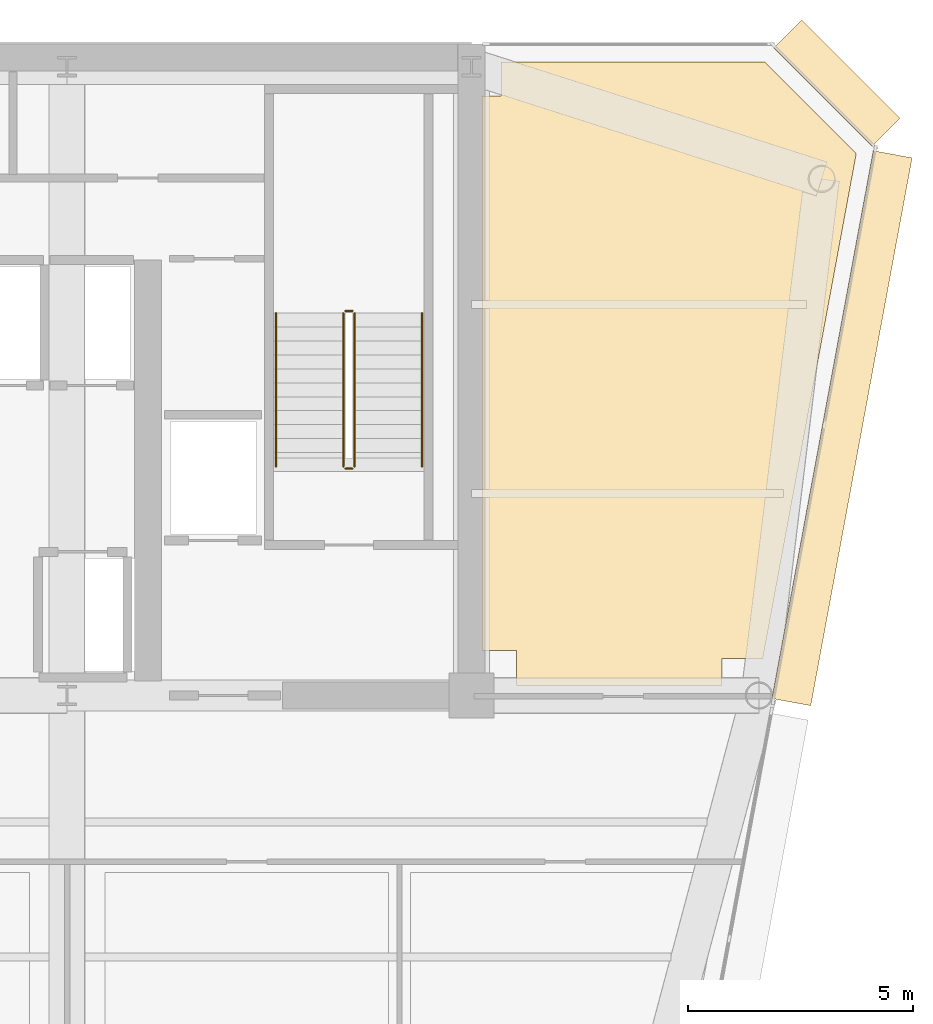
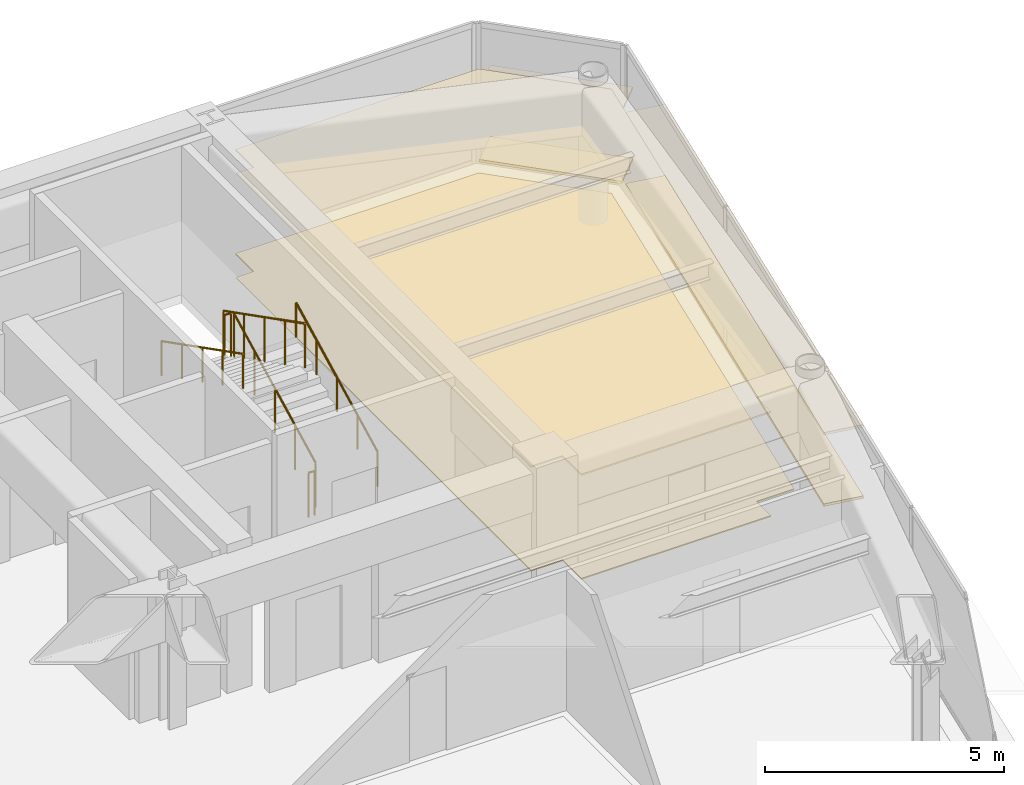
# One storey, part 17 of 17: 6 coverings, 6 railings.
"""IFC4 building model written with IfcOpenShell, lengths in metres."""

import ifcopenshell
import ifcopenshell.guid

model = None  # the IFC model being written
_history = None  # IfcOwnerHistory: only IFC2X3 demands one
_inside = {}  # id of a spatial element -> (the spatial element, [elements in it])
_under = {}  # id of a project, library or spatial element -> (it, [spatial elements below it])
_declared = {}  # id of a project -> (the project, [libraries it declares])
_typed = {}  # id of a type object -> (the type object, [elements of that type])
_made_of = {}  # id of a material, layer set ... -> (it, [elements and type objects made of it])


def new_model(schema):
    """Start an empty IFC model of exactly this schema.

    Asked for "IFC4X3", IfcOpenShell would pick the latest addendum, in which some entities
    have other attributes; the version numbers below select the first issue.
    IFC2X3 requires an IfcOwnerHistory on every rooted entity: one is made here for all.
    """
    global model, _history
    if schema == "IFC4X3":
        model = ifcopenshell.file(schema_version=(4, 3, 0, 0))
    else:
        model = ifcopenshell.file(schema=schema)
    _inside.clear()
    _under.clear()
    _declared.clear()
    _typed.clear()
    _made_of.clear()
    _history = None
    if model.schema == "IFC2X3":
        org = make("IfcOrganization", Name="unknown")
        user = make(
            "IfcPersonAndOrganization",
            ThePerson=make("IfcPerson", FamilyName="unknown"),
            TheOrganization=org,
        )
        app = make(
            "IfcApplication",
            ApplicationDeveloper=org,
            Version="unknown",
            ApplicationFullName="unknown",
            ApplicationIdentifier="unknown",
        )
        _history = make(
            "IfcOwnerHistory",
            OwningUser=user,
            OwningApplication=app,
            ChangeAction="ADDED",
            CreationDate=0,
        )
    return model


def make(cls, **values):
    """One entity of the class cls with the attributes given. An attribute that is None is left unset."""
    return model.create_entity(
        cls, **{name: value for name, value in values.items() if value is not None}
    )


def rooted(cls, **values):
    """An entity with a GlobalId (a new one), such as an element, a storey or a relation."""
    return make(cls, GlobalId=ifcopenshell.guid.new(), OwnerHistory=_history, **values)


def si_unit(unit_type, name, prefix=None):
    """IfcSIUnit, for example si_unit("LENGTHUNIT", "METRE", prefix="MILLI")."""
    return make("IfcSIUnit", UnitType=unit_type, Prefix=prefix, Name=name)


def assignment(units):
    """IfcUnitAssignment: the units of a project."""
    return None if units is None else make("IfcUnitAssignment", Units=units)


def point(xyz):
    """IfcCartesianPoint."""
    return None if xyz is None else make("IfcCartesianPoint", Coordinates=xyz)


def direction(xyz):
    """IfcDirection."""
    return None if xyz is None else make("IfcDirection", DirectionRatios=xyz)


def frame(location, z_axis=None, x_axis=None):
    """IfcAxis2Placement3D, a coordinate frame: its origin and axes. An axis left out is left unset."""
    return make(
        "IfcAxis2Placement3D",
        Location=point(location),
        Axis=direction(z_axis),
        RefDirection=direction(x_axis),
    )


def frame_2d(location, x_axis=None):
    """IfcAxis2Placement2D, a coordinate frame in the plane: its origin and x axis."""
    return make(
        "IfcAxis2Placement2D", Location=point(location), RefDirection=direction(x_axis)
    )


def origin():
    """The frame at (0, 0, 0) with its axes left unset."""
    return frame((0.0, 0.0, 0.0))


def origin_2d():
    """The frame at (0, 0) in the plane with its x axis left unset."""
    return frame_2d((0.0, 0.0))


def place(relative_to, where):
    """IfcLocalPlacement: puts the frame where relative to a parent placement (None: the world)."""
    return make(
        "IfcLocalPlacement", PlacementRelTo=relative_to, RelativePlacement=where
    )


def context(
    kind, dimensions, precision=None, world=None, true_north=None, identifier=None
):
    """IfcGeometricRepresentationContext, for example the 3D "Model" context."""
    return make(
        "IfcGeometricRepresentationContext",
        ContextIdentifier=identifier,
        ContextType=kind,
        CoordinateSpaceDimension=dimensions,
        Precision=precision,
        WorldCoordinateSystem=world,
        TrueNorth=true_north,
    )


def subcontext(parent, identifier, kind, view, scale=None):
    """IfcGeometricRepresentationSubContext, for example "Body" below "Model"."""
    return make(
        "IfcGeometricRepresentationSubContext",
        ContextIdentifier=identifier,
        ContextType=kind,
        ParentContext=parent,
        TargetScale=scale,
        TargetView=view,
    )


def project(units=None, contexts=None):
    """IfcProject with its units and contexts."""
    return rooted(
        "IfcProject",
        Name="project",
        RepresentationContexts=contexts,
        UnitsInContext=assignment(units),
    )


def spatial(cls, under=None, at=None, **own):
    """A site, building, storey or space (cls), placed at a placement, below another one or the project."""
    s = rooted(cls, ObjectPlacement=at, **own)
    if under is not None:
        _under.setdefault(under.id(), (under, []))[1].append(s)
    return s


def polyline(points):
    """IfcPolyline through the points."""
    return make("IfcPolyline", Points=[point(p) for p in points])


def profile(cls, at=None, kind="AREA", **sizes):
    """A parametric profile (cls). Its sizes go by their IFC names, for example OverallWidth=200.0."""
    return make(cls, ProfileType=kind, Position=at, **sizes)


def rectangle(**sizes):
    """IfcRectangleProfileDef."""
    return profile("IfcRectangleProfileDef", **sizes)


def circle(**sizes):
    """IfcCircleProfileDef."""
    return profile("IfcCircleProfileDef", **sizes)


def outline(outer, holes=None, kind="AREA"):
    """IfcArbitraryClosedProfileDef: a profile drawn as a closed curve; with holes, ...WithVoids."""
    if holes is None:
        return make("IfcArbitraryClosedProfileDef", ProfileType=kind, OuterCurve=outer)
    return make(
        "IfcArbitraryProfileDefWithVoids",
        ProfileType=kind,
        OuterCurve=outer,
        InnerCurves=holes,
    )


def extrude(swept, where, along, depth):
    """IfcExtrudedAreaSolid: the profile swept, set in the frame where, extruded along a direction by depth."""
    return make(
        "IfcExtrudedAreaSolid",
        SweptArea=swept,
        Position=where,
        ExtrudedDirection=direction(along),
        Depth=depth,
    )


def shape(context_of_items, identifier, shape_type, items):
    """IfcShapeRepresentation: the items that make up one representation, for example the "Body"."""
    return make(
        "IfcShapeRepresentation",
        ContextOfItems=context_of_items,
        RepresentationIdentifier=identifier,
        RepresentationType=shape_type,
        Items=items,
    )


def source(mapping_origin, context_of_items, identifier, shape_type, items):
    """IfcRepresentationMap: a shape defined once, which mapped items show again and again."""
    return make(
        "IfcRepresentationMap",
        MappingOrigin=mapping_origin,
        MappedRepresentation=shape(context_of_items, identifier, shape_type, items),
    )


def transform(
    local_origin,
    x_axis=None,
    y_axis=None,
    z_axis=None,
    scale=None,
    scale2=None,
    scale3=None,
    uniform=True,
):
    """IfcCartesianTransformationOperator3D, or its non-uniform kind. x_axis, y_axis, z_axis: its Axis1, 2, 3."""
    if uniform:
        return make(
            "IfcCartesianTransformationOperator3D",
            Axis1=direction(x_axis),
            Axis2=direction(y_axis),
            LocalOrigin=point(local_origin),
            Scale=scale,
            Axis3=direction(z_axis),
        )
    return make(
        "IfcCartesianTransformationOperator3DnonUniform",
        Axis1=direction(x_axis),
        Axis2=direction(y_axis),
        LocalOrigin=point(local_origin),
        Scale=scale,
        Axis3=direction(z_axis),
        Scale2=scale2,
        Scale3=scale3,
    )


def mapped(mapping_source, mapping_target):
    """IfcMappedItem: shows the shape of a source again, moved by a transform."""
    return make(
        "IfcMappedItem", MappingSource=mapping_source, MappingTarget=mapping_target
    )


def material(Name=None, Category=None):
    """IfcMaterial."""
    return make("IfcMaterial", Name=Name, Category=Category)


def layer(
    of_material, thickness, ventilated=None, Name=None, Category=None, Priority=None
):
    """IfcMaterialLayer: one layer of a wall or slab, of a material (None: an air gap)."""
    return make(
        "IfcMaterialLayer",
        Material=of_material,
        LayerThickness=thickness,
        IsVentilated=ventilated,
        Name=Name,
        Category=Category,
        Priority=Priority,
    )


def layer_set(layers, Name=None):
    """IfcMaterialLayerSet."""
    return make("IfcMaterialLayerSet", MaterialLayers=layers, LayerSetName=Name)


def made_of(thing, what):
    """Note that an element or type object is made of a material, layer set ...; save() writes the relation."""
    if what is not None:
        _made_of.setdefault(what.id(), (what, []))[1].append(thing)
    return thing


def type_object(cls, material=None, **own):
    """A type object (cls), such as IfcWallType, which elements share."""
    return made_of(rooted(cls, **own), material)


def element(
    cls,
    number,
    at=None,
    inside=None,
    cuts=None,
    type_object=None,
    material=None,
    context=None,
    identifier="Body",
    shape_type=None,
    held_by="IfcProductDefinitionShape",
    body=None,
    shapes=None,
    **own,
):
    """One element of the class cls, such as IfcWall. Its Tag is "e" and its number.

    at: its placement. inside: the storey or other place that contains it. cuts: it is an
    opening in that element (IfcRelVoidsElement). A single representation is given by context,
    identifier, shape_type and body (its items); several are given by shapes. held_by: the class
    of the entity that holds the representations. save() writes the other relations.
    """
    e = rooted(cls, Tag="e%d" % number, ObjectPlacement=at, **own)
    if body is not None:
        shapes = [shape(context, identifier, shape_type, body)]
    if shapes is not None:
        e.Representation = make(held_by, Representations=shapes)
    if inside is not None:
        _inside.setdefault(inside.id(), (inside, []))[1].append(e)
    if cuts is not None:
        rooted(
            "IfcRelVoidsElement", RelatingBuildingElement=cuts, RelatedOpeningElement=e
        )
    if type_object is not None:
        _typed.setdefault(type_object.id(), (type_object, []))[1].append(e)
    return made_of(e, material)


def aggregate(whole, parts):
    """IfcRelAggregates: a whole, such as a stair, and the parts it consists of."""
    return rooted("IfcRelAggregates", RelatingObject=whole, RelatedObjects=parts)


def save(model, path):
    """Write the relations noted so far, then the file.

    IfcRelAggregates (storeys below a building ...), IfcRelContainedInSpatialStructure (elements
    in a storey), IfcRelDefinesByType, IfcRelAssociatesMaterial and IfcRelDeclares: one each for
    every whole, place, type object, material and project.
    """
    for whole, parts in _under.values():
        aggregate(whole, parts)
    for where, things in _inside.values():
        rooted(
            "IfcRelContainedInSpatialStructure",
            RelatedElements=things,
            RelatingStructure=where,
        )
    for kind, things in _typed.values():
        rooted("IfcRelDefinesByType", RelatedObjects=things, RelatingType=kind)
    for what, things in _made_of.values():
        rooted("IfcRelAssociatesMaterial", RelatedObjects=things, RelatingMaterial=what)
    for by, libraries in _declared.values():
        rooted("IfcRelDeclares", RelatingContext=by, RelatedDefinitions=libraries)
    model.write(path)


model = new_model("IFC4")

# Units and contexts
model_context = context("Model", 3, precision=1e-05, world=origin(), true_north=direction((0.0, 1.0)))
body_context = subcontext(model_context, "Body", "Model", "MODEL_VIEW")
ifc_project = project(units=[si_unit("LENGTHUNIT", "METRE"), si_unit("AREAUNIT", "SQUARE_METRE"), si_unit("VOLUMEUNIT", "CUBIC_METRE"), si_unit("PLANEANGLEUNIT", "RADIAN"), si_unit("MASSUNIT", "GRAM", prefix="KILO")], contexts=[model_context])

# Site, building, storey
site_placement = place(None, origin())
site = spatial("IfcSite", under=ifc_project, at=site_placement, CompositionType="ELEMENT")
building_placement = place(site_placement, origin())
building = spatial("IfcBuilding", under=site, at=building_placement, Name="Vaeldorn Concourse Tower", CompositionType="ELEMENT")
storey_placement = place(building_placement, frame((0.0, 0.0, 234.60009765625)))
storey = spatial("IfcBuildingStorey", under=building, at=storey_placement, Name="L60", CompositionType="ELEMENT", Elevation=234.60009765625)

# Coverings
ifc_material_1 = material(Name="Acoustic Mineral Fibre Board", Category="gypsum")
ifc_layer_1 = layer(ifc_material_1, 0.0400390625)
ifc_layer_set_1 = layer_set([ifc_layer_1], Name="Acoustic Mineral Fibre Board")
covering_type_1 = type_object("IfcCoveringType", Name="COV-CEIL-ACOUSTIC", PredefinedType="CEILING", material=ifc_layer_set_1)
covering_1_placement = place(storey_placement, frame((0.0, 0.0, 2.64990234375)))
element("IfcCovering", 1, at=covering_1_placement, inside=storey, type_object=covering_type_1, Name="Suspended Acoustic Ceiling L60-5", PredefinedType="CEILING", context=body_context, shape_type="SweptSolid", body=[
    extrude(outline(polyline([(54.659912109375, 49.840087890625), (54.659912109375, 50.60009765625), (60.5341796875, 50.60009765625), (62.568359375, 48.56591796875), (60.48828125, 37.320068359375), (59.580078125, 37.320068359375), (59.580078125, 36.719970703125), (55.0, 36.719970703125), (55.0, 37.5), (54.239990234375, 37.5), (54.239990234375, 49.840087890625), (54.659912109375, 49.840087890625)])), origin(), (0.0, 0.0, 1.0), 0.0400390625),
])
ifc_material_2 = material(Name="Honed Limestone Terrazzo Flooring", Category="masonry")
ifc_layer_2 = layer(ifc_material_2, 0.0400390625)
ifc_layer_set_2 = layer_set([ifc_layer_2], Name="Honed Limestone Terrazzo Flooring")
covering_type_2 = type_object("IfcCoveringType", Name="COV-FLOOR-STONE", PredefinedType="FLOORING", material=ifc_layer_set_2)
covering_2_placement = place(storey_placement, origin())
element("IfcCovering", 2, at=covering_2_placement, inside=storey, type_object=covering_type_2, Name="Floor Finish Covering L60-5", PredefinedType="FLOORING", context=body_context, shape_type="SweptSolid", body=[
    extrude(outline(polyline([(54.659912109375, 49.840087890625), (54.659912109375, 50.60009765625), (60.5341796875, 50.60009765625), (62.568359375, 48.56591796875), (60.48828125, 37.320068359375), (59.580078125, 37.320068359375), (59.580078125, 36.719970703125), (55.0, 36.719970703125), (55.0, 37.5), (54.239990234375, 37.5), (54.239990234375, 49.840087890625), (54.659912109375, 49.840087890625)])), origin(), (0.0, 0.0, 1.0), 0.02978515625),
])

# Railings
ifc_material_3 = material(Name="Anodised Bronze Aluminium", Category="aluminium")
railing_type_1 = type_object("IfcRailingType", Name="RL-STAIR-GUARD", PredefinedType="GUARDRAIL", material=ifc_material_3)
railing_1_placement = place(storey_placement, frame((51.39990234375, 41.60009765625, 0.158203125)))
element("IfcRailing", 3, at=railing_1_placement, inside=storey, type_object=railing_type_1, Name="L60 ST-2 stair guard 1", PredefinedType="GUARDRAIL", context=body_context, shape_type="SweptSolid", body=[
    extrude(circle(Radius=0.02392578125, at=origin_2d()), frame((0.0, 0.0, 1.1259765625), z_axis=(0.0, 0.890555807335, 0.454873997962), x_axis=(-1.0, 0.0, 0.0)), (0.0, 0.0, 1.0), 3.828857421875),
    extrude(circle(Radius=0.02099609375, at=origin_2d()), origin(), (0.0, 0.0, 1.0), 1.101806640625),
    extrude(circle(Radius=0.02099609375, at=origin_2d()), frame((0.0, 0.8525390625, 0.435546875)), (0.0, 0.0, 1.0), 1.101806640625),
    extrude(circle(Radius=0.02099609375, at=origin_2d()), frame((0.0, 1.705078125, 0.870849609375)), (0.0, 0.0, 1.0), 1.101806640625),
    extrude(circle(Radius=0.02099609375, at=origin_2d()), frame((0.0, 2.557373046875, 1.30615234375)), (0.0, 0.0, 1.0), 1.101806640625),
    extrude(circle(Radius=0.02099609375, at=origin_2d()), frame((0.0, 3.409912109375, 1.74169921875)), (0.0, 0.0, 1.0), 1.101806640625),
])
railing_2_placement = place(storey_placement, frame((51.35009765625, 45.06005859375, 1.89990234375)))
element("IfcRailing", 4, at=railing_2_placement, inside=storey, type_object=railing_type_1, Name="L60 ST-2 stair guard 2", PredefinedType="GUARDRAIL", context=body_context, shape_type="SweptSolid", body=[
    extrude(circle(Radius=0.02392578125, at=origin_2d()), frame((0.0, 0.0, 1.1259765625), z_axis=(-1.0, 0.0, 0.0), x_axis=(0.0, -1.0, 0.0)), (0.0, 0.0, 1.0), 0.150146484375),
    extrude(circle(Radius=0.02099609375, at=origin_2d()), origin(), (0.0, 0.0, 1.0), 1.101806640625),
    extrude(circle(Radius=0.02099609375, at=origin_2d()), frame((-0.150146484375, 0.0, 0.0)), (0.0, 0.0, 1.0), 1.101806640625),
])
railing_3_placement = place(storey_placement, frame((51.14990234375, 45.010009765625, 2.058349609375)))
element("IfcRailing", 5, at=railing_3_placement, inside=storey, type_object=railing_type_1, Name="L60 ST-2 stair guard 3", PredefinedType="GUARDRAIL", context=body_context, shape_type="SweptSolid", body=[
    extrude(circle(Radius=0.02392578125, at=origin_2d()), frame((0.0, 0.0, 1.1259765625), z_axis=(0.0, -0.890581635807, 0.454823427236), x_axis=(1.0, 0.0, 0.0)), (0.0, 0.0, 1.0), 3.828857421875),
    extrude(circle(Radius=0.02099609375, at=origin_2d()), origin(), (0.0, 0.0, 1.0), 1.101806640625),
    extrude(circle(Radius=0.02099609375, at=origin_2d()), frame((0.0, -0.8525390625, 0.435302734375)), (0.0, 0.0, 1.0), 1.101806640625),
    extrude(circle(Radius=0.02099609375, at=origin_2d()), frame((0.0, -1.705078125, 0.87060546875)), (0.0, 0.0, 1.0), 1.101806640625),
    extrude(circle(Radius=0.02099609375, at=origin_2d()), frame((0.0, -2.557373046875, 1.30615234375)), (0.0, 0.0, 1.0), 1.101806640625),
    extrude(circle(Radius=0.02099609375, at=origin_2d()), frame((0.0, -3.409912109375, 1.741455078125)), (0.0, 0.0, 1.0), 1.101806640625),
])
railing_4_placement = place(storey_placement, frame((51.35009765625, 41.550048828125, 0.0)))
element("IfcRailing", 6, at=railing_4_placement, inside=storey, type_object=railing_type_1, Name="L60 ST-2 stair guard 4", PredefinedType="GUARDRAIL", context=body_context, shape_type="SweptSolid", body=[
    extrude(circle(Radius=0.02392578125, at=origin_2d()), frame((0.0, 0.0, 1.1259765625), z_axis=(-1.0, 0.0, 0.0), x_axis=(0.0, -1.0, 0.0)), (0.0, 0.0, 1.0), 0.150146484375),
    extrude(circle(Radius=0.02099609375, at=origin_2d()), origin(), (0.0, 0.0, 1.0), 1.101806640625),
    extrude(circle(Radius=0.02099609375, at=origin_2d()), frame((-0.150146484375, 0.0, 0.0)), (0.0, 0.0, 1.0), 1.101806640625),
])
railing_type_2 = type_object("IfcRailingType", Name="RL-STAIR-HANDRAIL", PredefinedType="HANDRAIL", material=ifc_material_3)
railing_5_placement = place(storey_placement, frame((52.89990234375, 41.60009765625, 0.158203125)))
element("IfcRailing", 7, at=railing_5_placement, inside=storey, type_object=railing_type_2, Name="L60 ST-2 stair handrail 1", PredefinedType="HANDRAIL", context=body_context, shape_type="SweptSolid", body=[
    extrude(circle(Radius=0.02392578125, at=origin_2d()), frame((0.0, 0.0, 0.8759765625), z_axis=(0.0, 0.890555807335, 0.454873997962), x_axis=(-1.0, 0.0, 0.0)), (0.0, 0.0, 1.0), 3.828857421875),
    extrude(circle(Radius=0.02099609375, at=origin_2d()), origin(), (0.0, 0.0, 1.0), 0.851806640625),
    extrude(circle(Radius=0.02099609375, at=origin_2d()), frame((0.0, 0.8525390625, 0.435546875)), (0.0, 0.0, 1.0), 0.851806640625),
    extrude(circle(Radius=0.02099609375, at=origin_2d()), frame((0.0, 1.705078125, 0.870849609375)), (0.0, 0.0, 1.0), 0.851806640625),
    extrude(circle(Radius=0.02099609375, at=origin_2d()), frame((0.0, 2.557373046875, 1.30615234375)), (0.0, 0.0, 1.0), 0.851806640625),
    extrude(circle(Radius=0.02099609375, at=origin_2d()), frame((0.0, 3.409912109375, 1.74169921875)), (0.0, 0.0, 1.0), 0.851806640625),
])
railing_6_placement = place(storey_placement, frame((49.64990234375, 45.010009765625, 2.058349609375)))
element("IfcRailing", 8, at=railing_6_placement, inside=storey, type_object=railing_type_2, Name="L60 ST-2 stair handrail 2", PredefinedType="HANDRAIL", context=body_context, shape_type="SweptSolid", body=[
    extrude(circle(Radius=0.02392578125, at=origin_2d()), frame((0.0, 0.0, 0.8759765625), z_axis=(0.0, -0.890581635807, 0.454823427236), x_axis=(1.0, 0.0, 0.0)), (0.0, 0.0, 1.0), 3.828857421875),
    extrude(circle(Radius=0.02099609375, at=origin_2d()), origin(), (0.0, 0.0, 1.0), 0.851806640625),
    extrude(circle(Radius=0.02099609375, at=origin_2d()), frame((0.0, -0.8525390625, 0.435302734375)), (0.0, 0.0, 1.0), 0.851806640625),
    extrude(circle(Radius=0.02099609375, at=origin_2d()), frame((0.0, -1.705078125, 0.87060546875)), (0.0, 0.0, 1.0), 0.851806640625),
    extrude(circle(Radius=0.02099609375, at=origin_2d()), frame((0.0, -2.557373046875, 1.30615234375)), (0.0, 0.0, 1.0), 0.851806640625),
    extrude(circle(Radius=0.02099609375, at=origin_2d()), frame((0.0, -3.409912109375, 1.741455078125)), (0.0, 0.0, 1.0), 0.851806640625),
])

# Coverings
ifc_layer_3 = layer(ifc_material_3, 0.06494140625)
ifc_layer_set_3 = layer_set([ifc_layer_3], Name="Anodised Bronze Aluminium")
covering_type_3 = type_object("IfcCoveringType", Name="SD-BRONZE-SUNSHADE", PredefinedType="USERDEFINED", material=ifc_layer_set_3)
shared_shape_1 = source(origin(), body_context, "Body", "SweptSolid", [
    extrude(rectangle(XDim=3.0927734375, YDim=0.8798828125, at=origin_2d()), origin(), (0.0, 0.0, 1.0), 0.06494140625),
])
for number, where, z_axis, x_axis, name in (
    (9, (62.1328125, 50.1328125, 0.04736328125), (0.0, 0.0, 1.0), (-0.707106781187, 0.707106781187, 0.0), "Horizontal Bronze Sunshade L60-E08.1.1"),
    (10, (62.1328125, 50.1328125, 1.867431640625), (0.0, 0.0, 1.0), (-0.707106781187, 0.707106781187, 0.0), "Horizontal Bronze Sunshade L60-E08.1.2"),
):
    element("IfcCovering", number, at=place(storey_placement, frame(where, z_axis=z_axis, x_axis=x_axis)), inside=storey, type_object=covering_type_3, Name=name, ObjectType="SUNSHADE", PredefinedType="USERDEFINED", context=body_context, shape_type="MappedRepresentation", body=[
        mapped(shared_shape_1, transform((0.0, 0.0, 0.0), scale=1.0)),
    ])
shared_shape_2 = source(origin(), body_context, "Body", "SweptSolid", [
    extrude(rectangle(XDim=12.402587890625, YDim=0.8798828125, at=origin_2d()), origin(), (0.0, 0.0, 1.0), 0.06494140625),
])
for number, where, z_axis, x_axis, name in (
    (11, (62.250732421875, 42.45068359375, 0.04736328125), (0.0, 0.0, 1.0), (0.181892293686, 0.983318459858, 0.0), "Horizontal Bronze Sunshade L60-E07.2.1"),
    (12, (62.250732421875, 42.45068359375, 1.867431640625), (0.0, 0.0, 1.0), (0.181892293686, 0.983318459858, 0.0), "Horizontal Bronze Sunshade L60-E07.2.2"),
):
    element("IfcCovering", number, at=place(storey_placement, frame(where, z_axis=z_axis, x_axis=x_axis)), inside=storey, type_object=covering_type_3, Name=name, ObjectType="SUNSHADE", PredefinedType="USERDEFINED", context=body_context, shape_type="MappedRepresentation", body=[
        mapped(shared_shape_2, transform((0.0, 0.0, 0.0), scale=1.0)),
    ])

save(model, "model.ifc")
